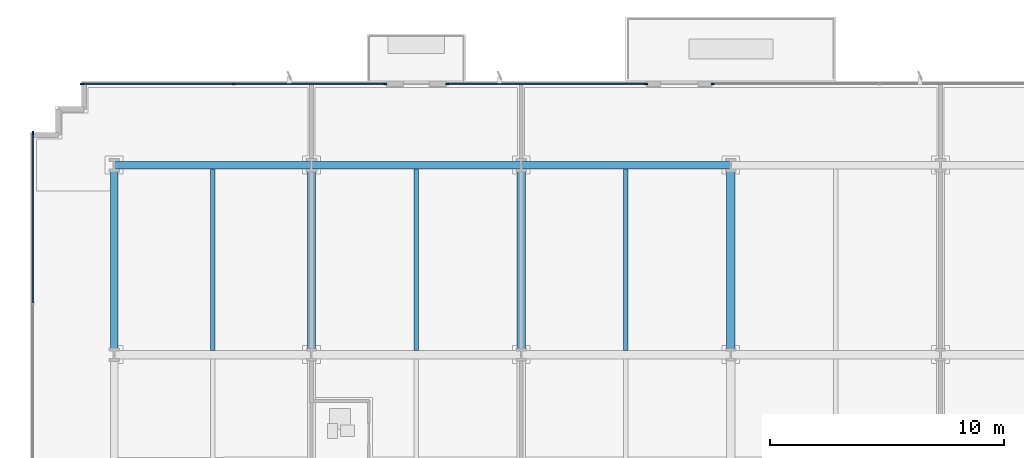
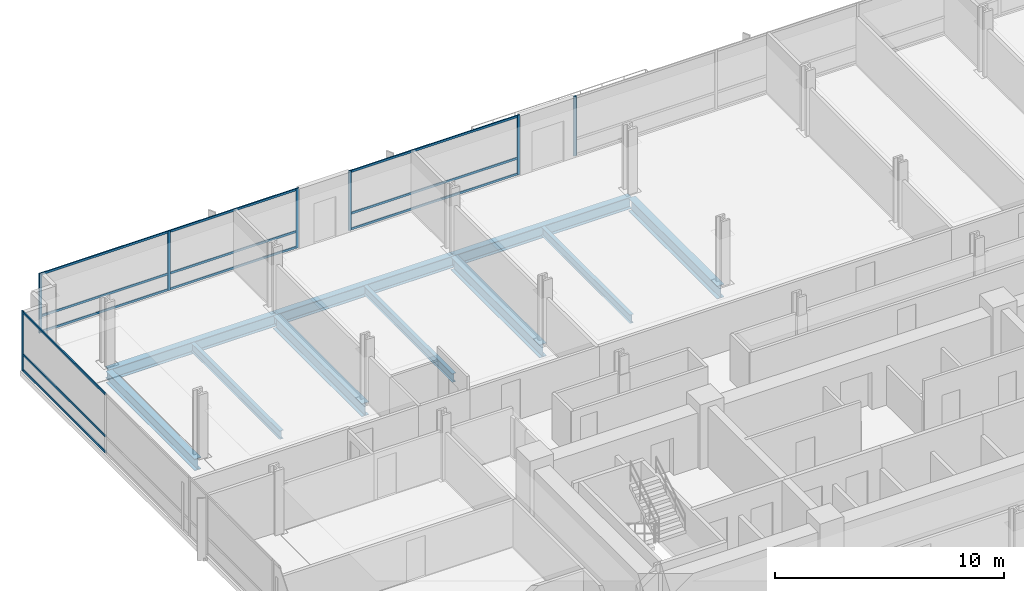
# One storey, part 9 of 21: 19 members, 10 beams, 4 elements without a shape of their own.
"""IFC4 building model written with IfcOpenShell, lengths in metres."""

from ifc_helpers import new_model, si_unit, direction, frame, origin, origin_2d, place, context, subcontext, project, spatial, rectangle, i_section, extrude, material, material_profile, profile_set, type_object, element, aggregate, save


model = new_model("IFC4")

# Units and contexts
model_context = context("Model", 3, precision=1e-05, world=origin(), true_north=direction((0.0, 1.0)))
body_context = subcontext(model_context, "Body", "Model", "MODEL_VIEW")
ifc_project = project(units=[si_unit("LENGTHUNIT", "METRE"), si_unit("AREAUNIT", "SQUARE_METRE"), si_unit("VOLUMEUNIT", "CUBIC_METRE"), si_unit("PLANEANGLEUNIT", "RADIAN"), si_unit("MASSUNIT", "GRAM", prefix="KILO")], contexts=[model_context])

# Site, building, storey
site_placement = place(None, origin())
site = spatial("IfcSite", under=ifc_project, at=site_placement, CompositionType="ELEMENT")
building_placement = place(site_placement, origin())
building = spatial("IfcBuilding", under=site, at=building_placement, Name="Solmavex Isthmus Hotel", CompositionType="ELEMENT")
storey_placement = place(building_placement, frame((0.0, 0.0, 54.0)))
storey = spatial("IfcBuildingStorey", under=building, at=storey_placement, Name="L14", CompositionType="ELEMENT", Elevation=54.0)

# Beams
ifc_material_1 = material(Name="Steel ASTM A992 Grade 50", Category="steel")
ifc_material_profile_1 = material_profile(ifc_material_1, i_section(OverallWidth=0.354736328125, OverallDepth=0.695556640625, WebThickness=0.015380859375, FlangeThickness=0.02490234375, FilletRadius=0.017822265625, at=origin_2d()), Name="W27X146")
ifc_profile_set_1 = profile_set([ifc_material_profile_1], Name="Steel ASTM A992 Grade 50")
beam_type_1 = type_object("IfcBeamType", Name="BM-BG-W27X146", PredefinedType="BEAM", material=ifc_profile_set_1)
for number, where, z_axis, x_axis, name in (
    (1, (-17.951904296875, 8.96533203125, -0.607666015625), (0.0, 1.0, 0.0), (-1.0, 0.0, 0.0), "Floor Beam L14-VG30"),
    (2, (-8.97607421875, 8.96533203125, -0.607666015625), (0.0, 1.0, 0.0), (-1.0, 0.0, 0.0), "Floor Beam L14-VG34"),
    (3, (0.0, 8.96533203125, -0.607666015625), (0.0, 1.0, 0.0), (-1.0, 0.0, 0.0), "Floor Beam L14-VG38"),
):
    element("IfcBeam", number, at=place(storey_placement, frame(where, z_axis=z_axis, x_axis=x_axis)), inside=storey, type_object=beam_type_1, Name=name, PredefinedType="BEAM", context=body_context, shape_type="SweptSolid", body=[
        extrude(i_section(OverallWidth=0.354736328125, OverallDepth=0.695556640625, WebThickness=0.015380859375, FlangeThickness=0.02490234375, FilletRadius=0.017822265625, at=origin_2d()), origin(), (0.0, 0.0, 1.0), 7.771484375),
    ])
ifc_material_profile_2 = material_profile(ifc_material_1, i_section(OverallWidth=0.1904296875, OverallDepth=0.456787109375, WebThickness=0.009033203125, FlangeThickness=0.014404296875, FilletRadius=0.0126953125, at=origin_2d()), Name="W18X50")
ifc_profile_set_2 = profile_set([ifc_material_profile_2], Name="Steel ASTM A992 Grade 50")
beam_type_2 = type_object("IfcBeamType", Name="BM-BJ-W18X50", PredefinedType="JOIST", material=ifc_profile_set_2)
for number, where, z_axis, x_axis, name in (
    (4, (-22.176025390625, 8.96533203125, -0.488525390625), (0.0, 1.0, 0.0), (-1.0, 0.0, 0.0), "Secondary Floor Joist L14-J03"),
    (5, (-13.464111328125, 8.96533203125, -0.488525390625), (0.0, 1.0, 0.0), (-1.0, 0.0, 0.0), "Secondary Floor Joist L14-J07"),
    (6, (-4.488037109375, 8.96533203125, -0.488525390625), (0.0, 1.0, 0.0), (-1.0, 0.0, 0.0), "Secondary Floor Joist L14-J11"),
):
    element("IfcBeam", number, at=place(storey_placement, frame(where, z_axis=z_axis, x_axis=x_axis)), inside=storey, type_object=beam_type_2, Name=name, PredefinedType="JOIST", context=body_context, shape_type="SweptSolid", body=[
        extrude(i_section(OverallWidth=0.1904296875, OverallDepth=0.456787109375, WebThickness=0.009033203125, FlangeThickness=0.014404296875, FilletRadius=0.0126953125, at=origin_2d()), origin(), (0.0, 0.0, 1.0), 7.771484375),
    ])
ifc_material_profile_3 = material_profile(ifc_material_1, i_section(OverallWidth=0.326416015625, OverallDepth=0.621826171875, WebThickness=0.015380859375, FlangeThickness=0.0244140625, FilletRadius=0.01513671875, at=origin_2d()), Name="W24X131")
ifc_profile_set_3 = profile_set([ifc_material_profile_3], Name="Steel ASTM A992 Grade 50")
beam_type_3 = type_object("IfcBeamType", Name="BM-SP-W24X131", PredefinedType="SPANDREL", material=ifc_profile_set_3)
beam_1_placement = place(storey_placement, frame((-26.39990234375, 16.89990234375, -0.57080078125), z_axis=(1.0, 0.0, 0.0), x_axis=(0.0, 1.0, 0.0)))
element("IfcBeam", 7, at=beam_1_placement, inside=storey, type_object=beam_type_3, Name="Floor Girder L14-UG19", PredefinedType="SPANDREL", context=body_context, shape_type="SweptSolid", body=[
    extrude(i_section(OverallWidth=0.326416015625, OverallDepth=0.621826171875, WebThickness=0.015380859375, FlangeThickness=0.0244140625, FilletRadius=0.01513671875, at=origin_2d()), origin(), (0.0, 0.0, 1.0), 8.447998046875),
])
beam_2_placement = place(storey_placement, frame((-17.951904296875, 16.89990234375, -0.57080078125), z_axis=(1.0, 0.0, 0.0), x_axis=(0.0, 1.0, 0.0)))
element("IfcBeam", 8, at=beam_2_placement, inside=storey, type_object=beam_type_3, Name="Floor Girder L14-UG20", PredefinedType="SPANDREL", context=body_context, shape_type="SweptSolid", body=[
    extrude(i_section(OverallWidth=0.326416015625, OverallDepth=0.621826171875, WebThickness=0.015380859375, FlangeThickness=0.0244140625, FilletRadius=0.01513671875, at=origin_2d()), origin(), (0.0, 0.0, 1.0), 8.975830078125),
])
beam_3_placement = place(storey_placement, frame((-8.97607421875, 16.89990234375, -0.57080078125), z_axis=(1.0, 0.0, 0.0), x_axis=(0.0, 1.0, 0.0)))
element("IfcBeam", 9, at=beam_3_placement, inside=storey, type_object=beam_type_3, Name="Floor Girder L14-UG21", PredefinedType="SPANDREL", context=body_context, shape_type="SweptSolid", body=[
    extrude(i_section(OverallWidth=0.326416015625, OverallDepth=0.621826171875, WebThickness=0.015380859375, FlangeThickness=0.0244140625, FilletRadius=0.01513671875, at=origin_2d()), origin(), (0.0, 0.0, 1.0), 8.97607421875),
])
beam_4_placement = place(storey_placement, frame((-26.39990234375, 8.96533203125, -0.57080078125), z_axis=(0.0, 1.0, 0.0), x_axis=(-1.0, 0.0, 0.0)))
element("IfcBeam", 10, at=beam_4_placement, inside=storey, type_object=beam_type_3, Name="Floor Beam L14-VG27", PredefinedType="SPANDREL", context=body_context, shape_type="SweptSolid", body=[
    extrude(i_section(OverallWidth=0.326416015625, OverallDepth=0.621826171875, WebThickness=0.015380859375, FlangeThickness=0.0244140625, FilletRadius=0.01513671875, at=origin_2d()), origin(), (0.0, 0.0, 1.0), 7.771484375),
])

# Curtain wall, members
ifc_material_2 = material(Name="Aluminium alloy 6063-T6", Category="aluminium")
curtain_wall_type = type_object("IfcCurtainWallType", Name="CW-SYS-06", PredefinedType="NOTDEFINED", material=ifc_material_2)
curtain_wall_1_placement = place(storey_placement, origin())
curtain_wall_1 = element("IfcCurtainWall", 11, at=curtain_wall_1_placement, inside=storey, type_object=curtain_wall_type, Name="Stick Curtain Wall CWL-L14-N1", PredefinedType="NOTDEFINED")
ifc_material_profile_4 = material_profile(ifc_material_2, rectangle(XDim=0.06005859375, YDim=0.139892578125, at=origin_2d()), Name="CWM-60X140")
ifc_profile_set_4 = profile_set([ifc_material_profile_4], Name="Aluminium alloy 6063-T6")
member_type_1 = type_object("IfcMemberType", Name="CW-SYS-06-MUL", PredefinedType="MULLION", material=ifc_profile_set_4)
member_1_placement = place(storey_placement, frame((-27.77001953125, 20.3798828125, 0.0), z_axis=(0.0, 0.0, 1.0), x_axis=(0.0, 1.0, 0.0)))
member_1 = element("IfcMember", 12, at=member_1_placement, type_object=member_type_1, Name="CW-06 mullion 1", PredefinedType="MULLION", context=body_context, shape_type="SweptSolid", body=[
    extrude(rectangle(XDim=0.06005859375, YDim=0.139892578125, at=origin_2d()), origin(), (0.0, 0.0, 1.0), 3.18994140625),
])
member_2_placement = place(storey_placement, frame((-21.281982421875, 20.3798828125, 0.0), z_axis=(0.0, 0.0, 1.0), x_axis=(0.0, 1.0, 0.0)))
member_2 = element("IfcMember", 13, at=member_2_placement, type_object=member_type_1, Name="CW-06 mullion 2", PredefinedType="MULLION", context=body_context, shape_type="SweptSolid", body=[
    extrude(rectangle(XDim=0.06005859375, YDim=0.139892578125, at=origin_2d()), origin(), (0.0, 0.0, 1.0), 3.18994140625),
])
member_3_placement = place(storey_placement, frame((-14.7939453125, 20.3798828125, 0.0), z_axis=(0.0, 0.0, 1.0), x_axis=(0.0, 1.0, 0.0)))
member_3 = element("IfcMember", 14, at=member_3_placement, type_object=member_type_1, Name="CW-06 mullion 3", PredefinedType="MULLION", context=body_context, shape_type="SweptSolid", body=[
    extrude(rectangle(XDim=0.06005859375, YDim=0.139892578125, at=origin_2d()), origin(), (0.0, 0.0, 1.0), 3.18994140625),
])

curtain_wall_2_placement = place(storey_placement, origin())
curtain_wall_2 = element("IfcCurtainWall", 15, at=curtain_wall_2_placement, inside=storey, type_object=curtain_wall_type, Name="Stick Curtain Wall CWL-L14-N2", PredefinedType="NOTDEFINED")
member_4_placement = place(storey_placement, frame((-12.134033203125, 20.3798828125, 0.0), z_axis=(0.0, 0.0, 1.0), x_axis=(0.0, 1.0, 0.0)))
member_4 = element("IfcMember", 16, at=member_4_placement, type_object=member_type_1, Name="CW-06 mullion 1", PredefinedType="MULLION", context=body_context, shape_type="SweptSolid", body=[
    extrude(rectangle(XDim=0.06005859375, YDim=0.139892578125, at=origin_2d()), origin(), (0.0, 0.0, 1.0), 3.18994140625),
])
member_5_placement = place(storey_placement, frame((-3.6298828125, 20.3798828125, 0.0), z_axis=(0.0, 0.0, 1.0), x_axis=(0.0, 1.0, 0.0)))
member_5 = element("IfcMember", 17, at=member_5_placement, type_object=member_type_1, Name="CW-06 mullion 2", PredefinedType="MULLION", context=body_context, shape_type="SweptSolid", body=[
    extrude(rectangle(XDim=0.06005859375, YDim=0.139892578125, at=origin_2d()), origin(), (0.0, 0.0, 1.0), 3.18994140625),
])

# Curtain wall, member
curtain_wall_3_placement = place(storey_placement, origin())
curtain_wall_3 = element("IfcCurtainWall", 18, at=curtain_wall_3_placement, inside=storey, type_object=curtain_wall_type, Name="Stick Curtain Wall CWL-L14-N3", PredefinedType="NOTDEFINED")
member_6_placement = place(storey_placement, frame((-0.77001953125, 20.3798828125, 0.0), z_axis=(0.0, 0.0, 1.0), x_axis=(0.0, 1.0, 0.0)))
member_6 = element("IfcMember", 19, at=member_6_placement, type_object=member_type_1, Name="CW-06 mullion 1", PredefinedType="MULLION", context=body_context, shape_type="SweptSolid", body=[
    extrude(rectangle(XDim=0.06005859375, YDim=0.139892578125, at=origin_2d()), origin(), (0.0, 0.0, 1.0), 3.18994140625),
])
aggregate(curtain_wall_3, [member_6])

curtain_wall_4_placement = place(storey_placement, origin())
curtain_wall_4 = element("IfcCurtainWall", 20, at=curtain_wall_4_placement, inside=storey, type_object=curtain_wall_type, Name="Stick Curtain Wall CWL-L14-W1", PredefinedType="NOTDEFINED")
member_7_placement = place(storey_placement, frame((-29.8798828125, 18.27001953125, 0.0), z_axis=(0.0, 0.0, 1.0), x_axis=(-1.0, 0.0, 0.0)))
member_7 = element("IfcMember", 21, at=member_7_placement, type_object=member_type_1, Name="CW-06 mullion 6", PredefinedType="MULLION", context=body_context, shape_type="SweptSolid", body=[
    extrude(rectangle(XDim=0.06005859375, YDim=0.139892578125, at=origin_2d()), origin(), (0.0, 0.0, 1.0), 3.18994140625),
])

# Member
ifc_material_profile_5 = material_profile(ifc_material_2, rectangle(XDim=0.06005859375, YDim=0.114990234375, at=origin_2d()), Name="CWT-60X115")
ifc_profile_set_5 = profile_set([ifc_material_profile_5], Name="Aluminium alloy 6063-T6")
member_type_2 = type_object("IfcMemberType", Name="CW-SYS-06-TRN", PredefinedType="USERDEFINED", material=ifc_profile_set_5)
member_8_placement = place(storey_placement, frame((-27.739990234375, 20.3798828125, 0.0576171875), z_axis=(1.0, 0.0, 0.0), x_axis=(0.0, 1.0, 0.0)))
member_8 = element("IfcMember", 22, at=member_8_placement, type_object=member_type_2, Name="CW-06 transom 1.1", ObjectType="TRANSOM", PredefinedType="USERDEFINED", context=body_context, shape_type="SweptSolid", body=[
    extrude(rectangle(XDim=0.06005859375, YDim=0.114990234375, at=origin_2d()), origin(), (0.0, 0.0, 1.0), 6.427978515625),
])

member_9_placement = place(storey_placement, frame((-27.739990234375, 20.3798828125, 0.89990234375), z_axis=(1.0, 0.0, 0.0), x_axis=(0.0, 1.0, 0.0)))
member_9 = element("IfcMember", 23, at=member_9_placement, type_object=member_type_2, Name="CW-06 transom 1.2", ObjectType="TRANSOM", PredefinedType="USERDEFINED", context=body_context, shape_type="SweptSolid", body=[
    extrude(rectangle(XDim=0.06005859375, YDim=0.114990234375, at=origin_2d()), origin(), (0.0, 0.0, 1.0), 6.427978515625),
])

member_10_placement = place(storey_placement, frame((-27.739990234375, 20.3798828125, 3.132568359375), z_axis=(1.0, 0.0, 0.0), x_axis=(0.0, 1.0, 0.0)))
member_10 = element("IfcMember", 24, at=member_10_placement, type_object=member_type_2, Name="CW-06 transom 1.3", ObjectType="TRANSOM", PredefinedType="USERDEFINED", context=body_context, shape_type="SweptSolid", body=[
    extrude(rectangle(XDim=0.06005859375, YDim=0.114990234375, at=origin_2d()), origin(), (0.0, 0.0, 1.0), 6.427978515625),
])

member_11_placement = place(storey_placement, frame((-21.251953125, 20.3798828125, 0.0576171875), z_axis=(1.0, 0.0, 0.0), x_axis=(0.0, 1.0, 0.0)))
member_11 = element("IfcMember", 25, at=member_11_placement, type_object=member_type_2, Name="CW-06 transom 2.1", ObjectType="TRANSOM", PredefinedType="USERDEFINED", context=body_context, shape_type="SweptSolid", body=[
    extrude(rectangle(XDim=0.06005859375, YDim=0.114990234375, at=origin_2d()), origin(), (0.0, 0.0, 1.0), 6.427978515625),
])

member_12_placement = place(storey_placement, frame((-21.251953125, 20.3798828125, 0.89990234375), z_axis=(1.0, 0.0, 0.0), x_axis=(0.0, 1.0, 0.0)))
member_12 = element("IfcMember", 26, at=member_12_placement, type_object=member_type_2, Name="CW-06 transom 2.2", ObjectType="TRANSOM", PredefinedType="USERDEFINED", context=body_context, shape_type="SweptSolid", body=[
    extrude(rectangle(XDim=0.06005859375, YDim=0.114990234375, at=origin_2d()), origin(), (0.0, 0.0, 1.0), 6.427978515625),
])

member_13_placement = place(storey_placement, frame((-21.251953125, 20.3798828125, 3.132568359375), z_axis=(1.0, 0.0, 0.0), x_axis=(0.0, 1.0, 0.0)))
member_13 = element("IfcMember", 27, at=member_13_placement, type_object=member_type_2, Name="CW-06 transom 2.3", ObjectType="TRANSOM", PredefinedType="USERDEFINED", context=body_context, shape_type="SweptSolid", body=[
    extrude(rectangle(XDim=0.06005859375, YDim=0.114990234375, at=origin_2d()), origin(), (0.0, 0.0, 1.0), 6.427978515625),
])

aggregate(curtain_wall_1, [member_1, member_2, member_3, member_8, member_9, member_10, member_11, member_12, member_13])

member_14_placement = place(storey_placement, frame((-12.10400390625, 20.3798828125, 0.0576171875), z_axis=(1.0, 0.0, 0.0), x_axis=(0.0, 1.0, 0.0)))
member_14 = element("IfcMember", 28, at=member_14_placement, type_object=member_type_2, Name="CW-06 transom 1.1", ObjectType="TRANSOM", PredefinedType="USERDEFINED", context=body_context, shape_type="SweptSolid", body=[
    extrude(rectangle(XDim=0.06005859375, YDim=0.114990234375, at=origin_2d()), origin(), (0.0, 0.0, 1.0), 8.444091796875),
])

member_15_placement = place(storey_placement, frame((-12.10400390625, 20.3798828125, 0.89990234375), z_axis=(1.0, 0.0, 0.0), x_axis=(0.0, 1.0, 0.0)))
member_15 = element("IfcMember", 29, at=member_15_placement, type_object=member_type_2, Name="CW-06 transom 1.2", ObjectType="TRANSOM", PredefinedType="USERDEFINED", context=body_context, shape_type="SweptSolid", body=[
    extrude(rectangle(XDim=0.06005859375, YDim=0.114990234375, at=origin_2d()), origin(), (0.0, 0.0, 1.0), 8.444091796875),
])

member_16_placement = place(storey_placement, frame((-12.10400390625, 20.3798828125, 3.132568359375), z_axis=(1.0, 0.0, 0.0), x_axis=(0.0, 1.0, 0.0)))
member_16 = element("IfcMember", 30, at=member_16_placement, type_object=member_type_2, Name="CW-06 transom 1.3", ObjectType="TRANSOM", PredefinedType="USERDEFINED", context=body_context, shape_type="SweptSolid", body=[
    extrude(rectangle(XDim=0.06005859375, YDim=0.114990234375, at=origin_2d()), origin(), (0.0, 0.0, 1.0), 8.444091796875),
])

aggregate(curtain_wall_2, [member_4, member_5, member_14, member_15, member_16])

member_17_placement = place(storey_placement, frame((-29.8798828125, 11.010009765625, 0.0576171875), z_axis=(0.0, 1.0, 0.0), x_axis=(-1.0, 0.0, 0.0)))
member_17 = element("IfcMember", 31, at=member_17_placement, type_object=member_type_2, Name="CW-06 transom 5.1", ObjectType="TRANSOM", PredefinedType="USERDEFINED", context=body_context, shape_type="SweptSolid", body=[
    extrude(rectangle(XDim=0.06005859375, YDim=0.114990234375, at=origin_2d()), origin(), (0.0, 0.0, 1.0), 7.22998046875),
])

member_18_placement = place(storey_placement, frame((-29.8798828125, 11.010009765625, 0.89990234375), z_axis=(0.0, 1.0, 0.0), x_axis=(-1.0, 0.0, 0.0)))
member_18 = element("IfcMember", 32, at=member_18_placement, type_object=member_type_2, Name="CW-06 transom 5.2", ObjectType="TRANSOM", PredefinedType="USERDEFINED", context=body_context, shape_type="SweptSolid", body=[
    extrude(rectangle(XDim=0.06005859375, YDim=0.114990234375, at=origin_2d()), origin(), (0.0, 0.0, 1.0), 7.22998046875),
])

member_19_placement = place(storey_placement, frame((-29.8798828125, 11.010009765625, 3.132568359375), z_axis=(0.0, 1.0, 0.0), x_axis=(-1.0, 0.0, 0.0)))
member_19 = element("IfcMember", 33, at=member_19_placement, type_object=member_type_2, Name="CW-06 transom 5.3", ObjectType="TRANSOM", PredefinedType="USERDEFINED", context=body_context, shape_type="SweptSolid", body=[
    extrude(rectangle(XDim=0.06005859375, YDim=0.114990234375, at=origin_2d()), origin(), (0.0, 0.0, 1.0), 7.22998046875),
])

aggregate(curtain_wall_4, [member_7, member_17, member_18, member_19])

save(model, "model.ifc")
